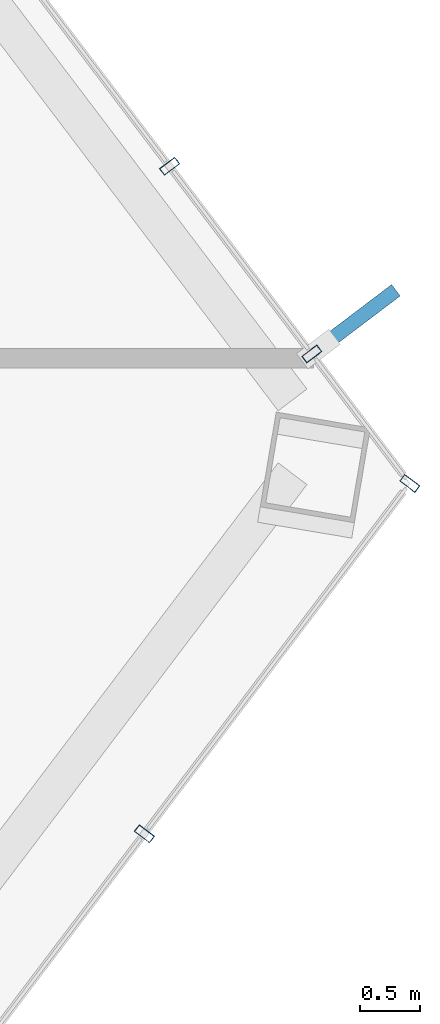
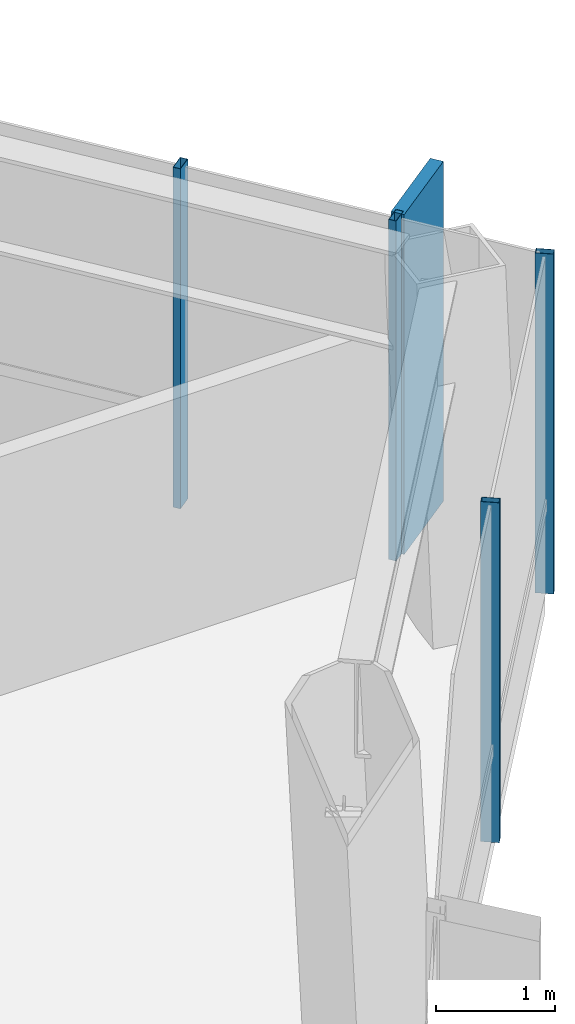
# One storey, part 23 of 30: 5 members, 2 elements without a shape of their own.
"""IFC4 building model written with IfcOpenShell, lengths in metres."""

from ifc_helpers import new_model, si_unit, direction, frame, origin, origin_2d, place, context, subcontext, project, spatial, rectangle, hollow_rectangle, extrude, material, layer, layer_set, material_profile, profile_set, type_object, element, aggregate, save


model = new_model("IFC4")

# Units and contexts
model_context = context("Model", 3, precision=1e-05, world=origin(), true_north=direction((0.0, 1.0)))
body_context = subcontext(model_context, "Body", "Model", "MODEL_VIEW")
ifc_project = project(units=[si_unit("LENGTHUNIT", "METRE"), si_unit("AREAUNIT", "SQUARE_METRE"), si_unit("VOLUMEUNIT", "CUBIC_METRE"), si_unit("PLANEANGLEUNIT", "RADIAN"), si_unit("MASSUNIT", "GRAM", prefix="KILO")], contexts=[model_context])

# Site, building, storey
site_placement = place(None, origin())
site = spatial("IfcSite", under=ifc_project, at=site_placement, CompositionType="ELEMENT")
building_placement = place(site_placement, origin())
building = spatial("IfcBuilding", under=site, at=building_placement, Name="Zarrinselat Tower", CompositionType="ELEMENT")
storey_placement = place(building_placement, frame((0.0, 0.0, 130.89990234375)))
storey = spatial("IfcBuildingStorey", under=building, at=storey_placement, Name="L31", CompositionType="ELEMENT", Elevation=130.89990234375)

# Curtain wall, members
ifc_material_1 = material(Name="Extruded Aluminium Alloy EN AW-6063 T6", Category="aluminium")
ifc_layer = layer(ifc_material_1, 0.175048828125)
ifc_layer_set = layer_set([ifc_layer], Name="Extruded Aluminium Alloy EN AW-6063 T6")
curtain_wall_type = type_object("IfcCurtainWallType", Name="CWS-HTL", PredefinedType="NOTDEFINED", material=ifc_layer_set)
curtain_wall_1_placement = place(storey_placement, origin())
curtain_wall_1 = element("IfcCurtainWall", 1, at=curtain_wall_1_placement, inside=storey, type_object=curtain_wall_type, Name="L31 Unitised Curtain Wall CW-L31-E05", PredefinedType="NOTDEFINED")
ifc_material_2 = material(Name="Extruded Aluminium Alloy EN AW-6063 T6", Category="aluminium")
ifc_material_profile_1 = material_profile(ifc_material_2, hollow_rectangle(XDim=0.070068359375, YDim=0.159912109375, WallThickness=0.00390625, at=origin_2d()), Name="RHS 160x70x4")
ifc_profile_set_1 = profile_set([ifc_material_profile_1], Name="Extruded Aluminium Alloy EN AW-6063 T6")
member_type_1 = type_object("IfcMemberType", Name="MEM-CW-MUL2", PredefinedType="MULLION", material=ifc_profile_set_1)
member_1_placement = place(storey_placement, frame((60.570556640625, 35.69189453125, 0.0), z_axis=(0.0, 0.0, 1.0), x_axis=(0.603858135777, 0.797091808926, 0.0)))
member_1 = element("IfcMember", 2, at=member_1_placement, type_object=member_type_1, Name="CW-L31-E05 Mullion 6", PredefinedType="MULLION", context=body_context, shape_type="SweptSolid", body=[
    extrude(hollow_rectangle(XDim=0.070068359375, YDim=0.159912109375, WallThickness=0.00390625, at=origin_2d()), origin(), (0.0, 0.0, 1.0), 3.5),
])
member_2_placement = place(storey_placement, frame((62.796142578125, 38.62939453125, 0.0), z_axis=(0.0, 0.0, 1.0), x_axis=(0.603858135777, 0.797091808926, 0.0)))
member_2 = element("IfcMember", 3, at=member_2_placement, type_object=member_type_1, Name="CW-L31-E05 Mullion 7", PredefinedType="MULLION", context=body_context, shape_type="SweptSolid", body=[
    extrude(hollow_rectangle(XDim=0.070068359375, YDim=0.159912109375, WallThickness=0.00390625, at=origin_2d()), origin(), (0.0, 0.0, 1.0), 3.5),
])
aggregate(curtain_wall_1, [member_1, member_2])

curtain_wall_2_placement = place(storey_placement, origin())
curtain_wall_2 = element("IfcCurtainWall", 4, at=curtain_wall_2_placement, inside=storey, type_object=curtain_wall_type, Name="L31 Unitised Curtain Wall CW-L31-E06", PredefinedType="NOTDEFINED")
member_3_placement = place(storey_placement, frame((61.97412109375, 39.714599609375, 0.0), z_axis=(0.0, 0.0, 1.0), x_axis=(-0.603858409354, 0.79709160167, 0.0)))
member_3 = element("IfcMember", 5, at=member_3_placement, type_object=member_type_1, Name="CW-L31-E06 Mullion 1", PredefinedType="MULLION", context=body_context, shape_type="SweptSolid", body=[
    extrude(hollow_rectangle(XDim=0.070068359375, YDim=0.159912109375, WallThickness=0.00390625, at=origin_2d()), origin(), (0.0, 0.0, 1.0), 3.5),
])
member_4_placement = place(storey_placement, frame((60.781494140625, 41.288818359375, 0.0), z_axis=(0.0, 0.0, 1.0), x_axis=(-0.603858409354, 0.79709160167, 0.0)))
member_4 = element("IfcMember", 6, at=member_4_placement, type_object=member_type_1, Name="CW-L31-E06 Mullion 2", PredefinedType="MULLION", context=body_context, shape_type="SweptSolid", body=[
    extrude(hollow_rectangle(XDim=0.070068359375, YDim=0.159912109375, WallThickness=0.00390625, at=origin_2d()), origin(), (0.0, 0.0, 1.0), 3.5),
])
ifc_material_3 = material(Name="Honed Cream Travertine Stone", Category="masonry")
ifc_material_profile_2 = material_profile(ifc_material_3, rectangle(XDim=0.1201171875, YDim=0.85009765625, at=origin_2d()), Name="FIN 850x120")
ifc_profile_set_2 = profile_set([ifc_material_profile_2], Name="Honed Cream Travertine Stone")
member_type_2 = type_object("IfcMemberType", Name="MEM-STONE-FIN", PredefinedType="USERDEFINED", material=ifc_profile_set_2)
member_5_placement = place(storey_placement, frame((62.3408203125, 39.992431640625, 0.0), z_axis=(0.0, 0.0, 1.0), x_axis=(0.603858409354, -0.79709160167, 0.0)))
member_5 = element("IfcMember", 7, at=member_5_placement, type_object=member_type_2, Name="L31 Stone Shading Fin CW-L31-E06-01", ObjectType="FIN", PredefinedType="USERDEFINED", context=body_context, shape_type="SweptSolid", body=[
    extrude(rectangle(XDim=0.1201171875, YDim=0.85009765625, at=origin_2d()), origin(), (0.0, 0.0, 1.0), 3.5),
])
aggregate(curtain_wall_2, [member_3, member_5, member_4])

save(model, "model.ifc")
